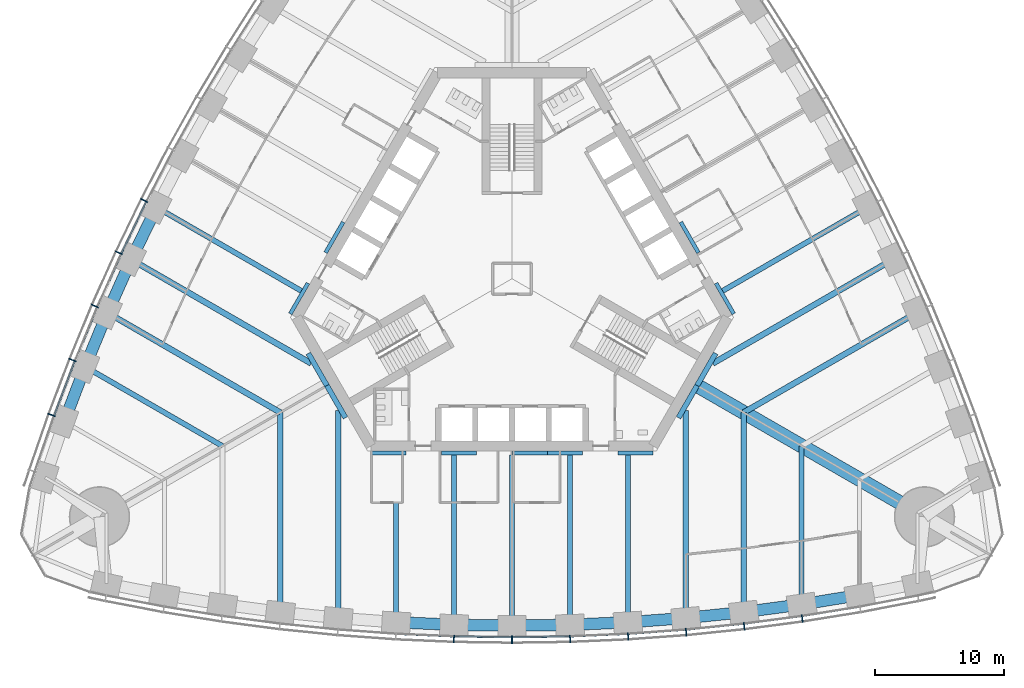
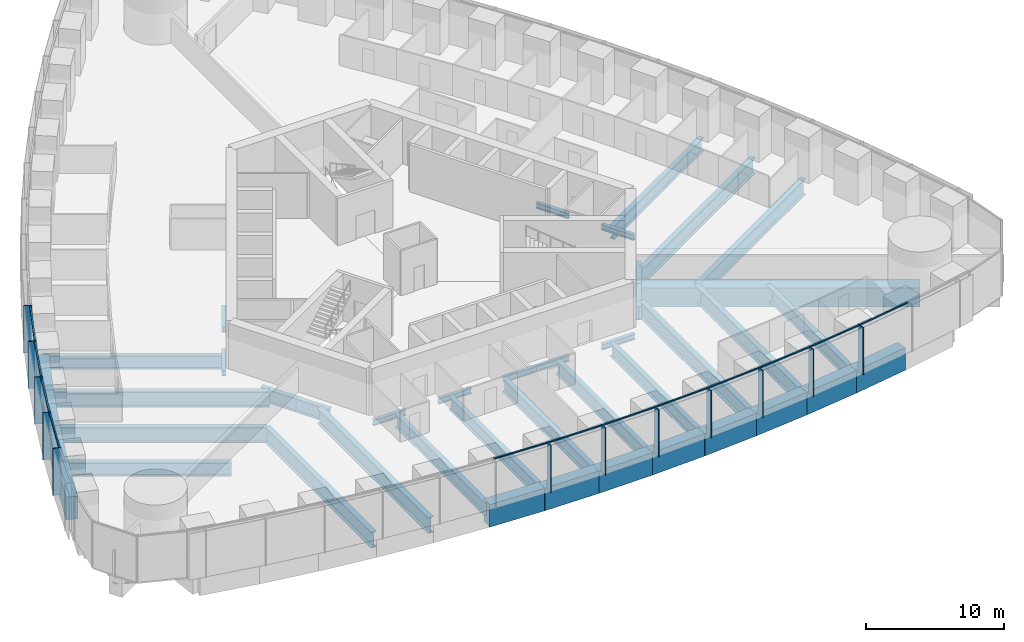
# One storey, part 3 of 19: 43 beams, 24 members, 2 elements without a shape of their own.
"""IFC4 building model written with IfcOpenShell, lengths in metres."""

from ifc_helpers import new_model, si_unit, direction, frame, origin, origin_2d, place, context, subcontext, project, spatial, rectangle, i_section, extrude, material, material_profile, profile_set, type_object, element, aggregate, save


model = new_model("IFC4")

# Units and contexts
model_context = context("Model", 3, precision=1e-05, world=origin(), true_north=direction((0.0, 1.0)))
body_context = subcontext(model_context, "Body", "Model", "MODEL_VIEW")
ifc_project = project(units=[si_unit("LENGTHUNIT", "METRE"), si_unit("AREAUNIT", "SQUARE_METRE"), si_unit("VOLUMEUNIT", "CUBIC_METRE"), si_unit("PLANEANGLEUNIT", "RADIAN"), si_unit("MASSUNIT", "GRAM", prefix="KILO")], contexts=[model_context])

# Site, building, storey
site_placement = place(None, origin())
site = spatial("IfcSite", under=ifc_project, at=site_placement, CompositionType="ELEMENT")
building_placement = place(site_placement, origin())
building = spatial("IfcBuilding", under=site, at=building_placement, Name="Trefoil Bronze Tower", CompositionType="ELEMENT")
storey_placement = place(building_placement, frame((0.0, 0.0, 79.5)))
storey = spatial("IfcBuildingStorey", under=building, at=storey_placement, Name="L18", CompositionType="ELEMENT", Elevation=79.5)

# Curtain wall, members
ifc_material_1 = material(Name="Tinted solar-control glass", Category="glass")
curtain_wall_type = type_object("IfcCurtainWallType", Name="Bronze office curtain wall", PredefinedType="USERDEFINED", material=ifc_material_1)
curtain_wall_1_placement = place(storey_placement, origin())
curtain_wall_1 = element("IfcCurtainWall", 1, at=curtain_wall_1_placement, inside=storey, type_object=curtain_wall_type, Name="CW-A L18 F1", ObjectType="CURTAIN WALL", PredefinedType="USERDEFINED")
ifc_material_2 = material(Name="Bronze-finish aluminium", Category="aluminium")
ifc_material_profile_1 = material_profile(ifc_material_2, rectangle(XDim=0.60009765625, YDim=0.080078125, at=origin_2d()), Name="CW-A mullion")
ifc_profile_set_1 = profile_set([ifc_material_profile_1], Name="Bronze-finish aluminium")
member_type_1 = type_object("IfcMemberType", Name="Bronze office curtain wall mullion", PredefinedType="MULLION", material=ifc_profile_set_1)
member_1_placement = place(storey_placement, frame((-4.5087890625, -27.9833984375, 0.0), z_axis=(0.0, 0.0, 1.0), x_axis=(0.029021671584, 0.999578782577, 0.0)))
member_1 = element("IfcMember", 2, at=member_1_placement, type_object=member_type_1, Name="CW-A L18 F1 mullion 8", PredefinedType="MULLION", context=body_context, shape_type="SweptSolid", body=[
    extrude(rectangle(XDim=0.60009765625, YDim=0.080078125, at=origin_2d()), origin(), (0.0, 0.0, 1.0), 4.179931640625),
])
member_2_placement = place(storey_placement, frame((0.0, -28.048828125, 0.0), z_axis=(0.0, 0.0, 1.0), x_axis=(0.0, 1.0, 0.0)))
member_2 = element("IfcMember", 3, at=member_2_placement, type_object=member_type_1, Name="CW-A L18 F1 mullion 9", PredefinedType="MULLION", context=body_context, shape_type="SweptSolid", body=[
    extrude(rectangle(XDim=0.60009765625, YDim=0.080078125, at=origin_2d()), origin(), (0.0, 0.0, 1.0), 4.179931640625),
])
member_3_placement = place(storey_placement, frame((4.5087890625, -27.9833984375, 0.0), z_axis=(0.0, 0.0, 1.0), x_axis=(-0.029021671584, 0.999578782577, 0.0)))
member_3 = element("IfcMember", 4, at=member_3_placement, type_object=member_type_1, Name="CW-A L18 F1 mullion 10", PredefinedType="MULLION", context=body_context, shape_type="SweptSolid", body=[
    extrude(rectangle(XDim=0.60009765625, YDim=0.080078125, at=origin_2d()), origin(), (0.0, 0.0, 1.0), 4.179931640625),
])
member_4_placement = place(storey_placement, frame((9.017333984375, -27.786865234375, 0.0), z_axis=(0.0, 0.0, 1.0), x_axis=(-0.058043374207, 0.998314062162, 0.0)))
member_4 = element("IfcMember", 5, at=member_4_placement, type_object=member_type_1, Name="CW-A L18 F1 mullion 11", PredefinedType="MULLION", context=body_context, shape_type="SweptSolid", body=[
    extrude(rectangle(XDim=0.60009765625, YDim=0.080078125, at=origin_2d()), origin(), (0.0, 0.0, 1.0), 4.179931640625),
])
member_5_placement = place(storey_placement, frame((13.526123046875, -27.458984375, 0.0), z_axis=(0.0, 0.0, 1.0), x_axis=(-0.087065139456, 0.996202620701, 0.0)))
member_5 = element("IfcMember", 6, at=member_5_placement, type_object=member_type_1, Name="CW-A L18 F1 mullion 12", PredefinedType="MULLION", context=body_context, shape_type="SweptSolid", body=[
    extrude(rectangle(XDim=0.60009765625, YDim=0.080078125, at=origin_2d()), origin(), (0.0, 0.0, 1.0), 4.179931640625),
])
member_6_placement = place(storey_placement, frame((18.034912109375, -26.99853515625, 0.0), z_axis=(0.0, 0.0, 1.0), x_axis=(-0.116086999973, 0.993239048989, 0.0)))
member_6 = element("IfcMember", 7, at=member_6_placement, type_object=member_type_1, Name="CW-A L18 F1 mullion 13", PredefinedType="MULLION", context=body_context, shape_type="SweptSolid", body=[
    extrude(rectangle(XDim=0.60009765625, YDim=0.080078125, at=origin_2d()), origin(), (0.0, 0.0, 1.0), 4.179931640625),
])
member_7_placement = place(storey_placement, frame((22.54345703125, -26.40478515625, 0.0), z_axis=(0.0, 0.0, 1.0), x_axis=(-0.145108990094, 0.989415676546, 0.0)))
member_7 = element("IfcMember", 8, at=member_7_placement, type_object=member_type_1, Name="CW-A L18 F1 mullion 14", PredefinedType="MULLION", context=body_context, shape_type="SweptSolid", body=[
    extrude(rectangle(XDim=0.60009765625, YDim=0.080078125, at=origin_2d()), origin(), (0.0, 0.0, 1.0), 4.179931640625),
])

curtain_wall_2_placement = place(storey_placement, origin())
curtain_wall_2 = element("IfcCurtainWall", 9, at=curtain_wall_2_placement, inside=storey, type_object=curtain_wall_type, Name="CW-A L18 F3", ObjectType="CURTAIN WALL", PredefinedType="USERDEFINED")
member_8_placement = place(storey_placement, frame((-28.57275390625, 6.084228515625, 0.0), z_axis=(0.0, 0.0, 1.0), x_axis=(0.893587025891, -0.448889994497, 0.0)))
member_8 = element("IfcMember", 10, at=member_8_placement, type_object=member_type_1, Name="CW-A L18 F3 mullion 11", PredefinedType="MULLION", context=body_context, shape_type="SweptSolid", body=[
    extrude(rectangle(XDim=0.60009765625, YDim=0.080078125, at=origin_2d()), origin(), (0.0, 0.0, 1.0), 4.179931640625),
])
member_9_placement = place(storey_placement, frame((-30.543212890625, 2.015380859375, 0.0), z_axis=(0.0, 0.0, 1.0), x_axis=(0.906269346572, -0.422700687798, 0.0)))
member_9 = element("IfcMember", 11, at=member_9_placement, type_object=member_type_1, Name="CW-A L18 F3 mullion 12", PredefinedType="MULLION", context=body_context, shape_type="SweptSolid", body=[
    extrude(rectangle(XDim=0.60009765625, YDim=0.080078125, at=origin_2d()), origin(), (0.0, 0.0, 1.0), 4.179931640625),
])
member_10_placement = place(storey_placement, frame((-32.39892578125, -2.119384765625, 0.0), z_axis=(0.0, 0.0, 1.0), x_axis=(0.918213748442, -0.396085233469, 0.0)))
member_10 = element("IfcMember", 12, at=member_10_placement, type_object=member_type_1, Name="CW-A L18 F3 mullion 13", PredefinedType="MULLION", context=body_context, shape_type="SweptSolid", body=[
    extrude(rectangle(XDim=0.60009765625, YDim=0.080078125, at=origin_2d()), origin(), (0.0, 0.0, 1.0), 4.179931640625),
])
member_11_placement = place(storey_placement, frame((-34.138916015625, -6.32080078125, 0.0), z_axis=(0.0, 0.0, 1.0), x_axis=(0.929413605838, -0.369039766534, 0.0)))
member_11 = element("IfcMember", 13, at=member_11_placement, type_object=member_type_1, Name="CW-A L18 F3 mullion 14", PredefinedType="MULLION", context=body_context, shape_type="SweptSolid", body=[
    extrude(rectangle(XDim=0.60009765625, YDim=0.080078125, at=origin_2d()), origin(), (0.0, 0.0, 1.0), 4.179931640625),
])
member_12_placement = place(storey_placement, frame((-35.761962890625, -10.590087890625, 0.0), z_axis=(0.0, 0.0, 1.0), x_axis=(0.939860248316, -0.341559238839, 0.0)))
member_12 = element("IfcMember", 14, at=member_12_placement, type_object=member_type_1, Name="CW-A L18 F3 mullion 15", PredefinedType="MULLION", context=body_context, shape_type="SweptSolid", body=[
    extrude(rectangle(XDim=0.60009765625, YDim=0.080078125, at=origin_2d()), origin(), (0.0, 0.0, 1.0), 4.179931640625),
])

# Member
ifc_material_3 = material(Name="Bronze-finish aluminium", Category="aluminium")
ifc_material_profile_2 = material_profile(ifc_material_3, rectangle(XDim=0.1201171875, YDim=0.10009765625, at=origin_2d()), Name="CW-A transom")
ifc_profile_set_2 = profile_set([ifc_material_profile_2], Name="Bronze-finish aluminium")
member_type_2 = type_object("IfcMemberType", Name="Bronze office curtain wall transom", PredefinedType="USERDEFINED", material=ifc_profile_set_2)
member_13_placement = place(storey_placement, frame((-8.96435546875, -27.589111328125, 4.1298828125), z_axis=(0.999054074786, -0.043485119914, 0.0), x_axis=(0.043485119914, 0.999054074786, 0.0)))
member_13 = element("IfcMember", 15, at=member_13_placement, type_object=member_type_2, Name="CW-A L18 F1 transom 7", ObjectType="TRANSOM", PredefinedType="USERDEFINED", context=body_context, shape_type="SweptSolid", body=[
    extrude(rectangle(XDim=0.1201171875, YDim=0.10009765625, at=origin_2d()), origin(), (0.0, 0.0, 1.0), 4.424072265625),
])

member_14_placement = place(storey_placement, frame((-4.46142578125, -27.783935546875, 4.1298828125), z_axis=(0.999894497273, -0.014525643658, 0.0), x_axis=(0.014525643658, 0.999894497273, 0.0)))
member_14 = element("IfcMember", 16, at=member_14_placement, type_object=member_type_2, Name="CW-A L18 F1 transom 8", ObjectType="TRANSOM", PredefinedType="USERDEFINED", context=body_context, shape_type="SweptSolid", body=[
    extrude(rectangle(XDim=0.1201171875, YDim=0.10009765625, at=origin_2d()), origin(), (0.0, 0.0, 1.0), 4.42041015625),
])

member_15_placement = place(storey_placement, frame((0.04150390625, -27.84814453125, 4.1298828125), z_axis=(0.999894497273, 0.014525643658, 0.0), x_axis=(-0.014525643658, 0.999894497273, 0.0)))
member_15 = element("IfcMember", 17, at=member_15_placement, type_object=member_type_2, Name="CW-A L18 F1 transom 9", ObjectType="TRANSOM", PredefinedType="USERDEFINED", context=body_context, shape_type="SweptSolid", body=[
    extrude(rectangle(XDim=0.1201171875, YDim=0.10009765625, at=origin_2d()), origin(), (0.0, 0.0, 1.0), 4.42041015625),
])

member_16_placement = place(storey_placement, frame((4.54443359375, -27.781494140625, 4.1298828125), z_axis=(0.999054074786, 0.043485119914, 0.0), x_axis=(-0.043485119914, 0.999054074786, 0.0)))
member_16 = element("IfcMember", 18, at=member_16_placement, type_object=member_type_2, Name="CW-A L18 F1 transom 10", ObjectType="TRANSOM", PredefinedType="USERDEFINED", context=body_context, shape_type="SweptSolid", body=[
    extrude(rectangle(XDim=0.1201171875, YDim=0.10009765625, at=origin_2d()), origin(), (0.0, 0.0, 1.0), 4.424072265625),
])

member_17_placement = place(storey_placement, frame((9.047119140625, -27.584228515625, 4.1298828125), z_axis=(0.997364729945, 0.07255064067, 0.0), x_axis=(-0.07255064067, 0.997364729945, 0.0)))
member_17 = element("IfcMember", 19, at=member_17_placement, type_object=member_type_2, Name="CW-A L18 F1 transom 11", ObjectType="TRANSOM", PredefinedType="USERDEFINED", context=body_context, shape_type="SweptSolid", body=[
    extrude(rectangle(XDim=0.1201171875, YDim=0.10009765625, at=origin_2d()), origin(), (0.0, 0.0, 1.0), 4.431884765625),
])

member_18_placement = place(storey_placement, frame((13.550048828125, -27.25537109375, 4.1298828125), z_axis=(0.994831650915, 0.101538102888, 0.0), x_axis=(-0.101538102888, 0.994831650915, 0.0)))
member_18 = element("IfcMember", 20, at=member_18_placement, type_object=member_type_2, Name="CW-A L18 F1 transom 12", ObjectType="TRANSOM", PredefinedType="USERDEFINED", context=body_context, shape_type="SweptSolid", body=[
    extrude(rectangle(XDim=0.1201171875, YDim=0.10009765625, at=origin_2d()), origin(), (0.0, 0.0, 1.0), 4.443359375),
])

member_19_placement = place(storey_placement, frame((18.052734375, -26.79443359375, 4.1298828125), z_axis=(0.991436581643, 0.13058906761, 0.0), x_axis=(-0.13058906761, 0.991436581643, 0.0)))
member_19 = element("IfcMember", 21, at=member_19_placement, type_object=member_type_2, Name="CW-A L18 F1 transom 13", ObjectType="TRANSOM", PredefinedType="USERDEFINED", context=body_context, shape_type="SweptSolid", body=[
    extrude(rectangle(XDim=0.1201171875, YDim=0.10009765625, at=origin_2d()), origin(), (0.0, 0.0, 1.0), 4.458740234375),
])

member_20_placement = place(storey_placement, frame((22.555419921875, -26.2001953125, 4.1298828125), z_axis=(0.987179401487, 0.159614627398, 0.0), x_axis=(-0.159614627398, 0.987179401487, 0.0)))
member_20 = element("IfcMember", 22, at=member_20_placement, type_object=member_type_2, Name="CW-A L18 F1 transom 14", ObjectType="TRANSOM", PredefinedType="USERDEFINED", context=body_context, shape_type="SweptSolid", body=[
    extrude(rectangle(XDim=0.1201171875, YDim=0.10009765625, at=origin_2d()), origin(), (0.0, 0.0, 1.0), 4.478515625),
])

aggregate(curtain_wall_1, [member_1, member_2, member_3, member_4, member_5, member_6, member_7, member_13, member_14, member_15, member_16, member_17, member_18, member_19, member_20])

member_21_placement = place(storey_placement, frame((-28.412109375, 5.95703125, 4.1298828125), z_axis=(-0.435851763293, -0.900018466719, 0.0), x_axis=(0.900018466719, -0.435851763293, 0.0)))
member_21 = element("IfcMember", 23, at=member_21_placement, type_object=member_type_2, Name="CW-A L18 F3 transom 11", ObjectType="TRANSOM", PredefinedType="USERDEFINED", context=body_context, shape_type="SweptSolid", body=[
    extrude(rectangle(XDim=0.1201171875, YDim=0.10009765625, at=origin_2d()), origin(), (0.0, 0.0, 1.0), 4.431884765625),
])

member_22_placement = place(storey_placement, frame((-30.37890625, 1.89306640625, 4.1298828125), z_axis=(-0.409459746452, -0.912328184392, 0.0), x_axis=(0.912328184392, -0.409459746452, 0.0)))
member_22 = element("IfcMember", 24, at=member_22_placement, type_object=member_type_2, Name="CW-A L18 F3 transom 12", ObjectType="TRANSOM", PredefinedType="USERDEFINED", context=body_context, shape_type="SweptSolid", body=[
    extrude(rectangle(XDim=0.1201171875, YDim=0.10009765625, at=origin_2d()), origin(), (0.0, 0.0, 1.0), 4.443359375),
])

member_23_placement = place(storey_placement, frame((-32.231201171875, -2.23681640625, 4.1298828125), z_axis=(-0.382616149417, -0.923907399151, 0.0), x_axis=(0.923907399151, -0.382616149417, 0.0)))
member_23 = element("IfcMember", 25, at=member_23_placement, type_object=member_type_2, Name="CW-A L18 F3 transom 13", ObjectType="TRANSOM", PredefinedType="USERDEFINED", context=body_context, shape_type="SweptSolid", body=[
    extrude(rectangle(XDim=0.1201171875, YDim=0.10009765625, at=origin_2d()), origin(), (0.0, 0.0, 1.0), 4.458984375),
])

member_24_placement = place(storey_placement, frame((-33.9677734375, -6.433349609375, 4.1298828125), z_axis=(-0.355367327392, -0.934726731522, 0.0), x_axis=(0.934726731522, -0.355367327392, 0.0)))
member_24 = element("IfcMember", 26, at=member_24_placement, type_object=member_type_2, Name="CW-A L18 F3 transom 14", ObjectType="TRANSOM", PredefinedType="USERDEFINED", context=body_context, shape_type="SweptSolid", body=[
    extrude(rectangle(XDim=0.1201171875, YDim=0.10009765625, at=origin_2d()), origin(), (0.0, 0.0, 1.0), 4.478515625),
])

aggregate(curtain_wall_2, [member_8, member_9, member_10, member_11, member_12, member_21, member_22, member_23, member_24])

# Beams
ifc_material_4 = material(Name="Steel C355", Category="steel")
ifc_material_profile_3 = material_profile(ifc_material_4, i_section(OverallWidth=0.300048828125, OverallDepth=0.5, WebThickness=0.014404296875, FlangeThickness=0.028076171875, FilletRadius=0.027099609375, at=origin_2d()), Name="HEB 500")
ifc_profile_set_3 = profile_set([ifc_material_profile_3], Name="Steel C355")
beam_type_1 = type_object("IfcBeamType", Name="Core seat beam HEB 500", PredefinedType="BEAM", material=ifc_profile_set_3)
for number, where, z_axis, x_axis, name in (
    (27, (-10.9697265625, -13.550048828125, -0.449951171875), (1.0, 0.0, 0.0), (0.0, 1.0, 0.0), "Core seat beam F1/-2 L18"),
    (28, (-5.48486328125, -13.550048828125, -0.449951171875), (1.0, 0.0, 0.0), (0.0, 1.0, 0.0), "Core seat beam F1/-1 L18"),
    (29, (0.0, -13.550048828125, -0.449951171875), (1.0, 0.0, 0.0), (0.0, 1.0, 0.0), "Core seat beam F1/+0 L18"),
    (30, (2.742431640625, -13.550048828125, -0.449951171875), (1.0, 0.0, 0.0), (0.0, 1.0, 0.0), "Core seat beam F1/+1 L18"),
    (31, (8.227294921875, -13.550048828125, -0.449951171875), (1.0, 0.0, 0.0), (0.0, 1.0, 0.0), "Core seat beam F1/+2 L18"),
    (32, (17.219482421875, -2.72509765625, -0.449951171875), (-0.500035825175, 0.866004719122, 0.0), (-0.866004719122, -0.500035825175, 0.0), "Core seat beam F2/-2 L18"),
    (33, (14.47705078125, 2.02490234375, -0.449951171875), (-0.499969057507, 0.866043267704, 0.0), (-0.866043267704, -0.499969057507, 0.0), "Core seat beam F2/-1 L18"),
    (34, (-13.10595703125, 4.39990234375, -0.449951171875), (-0.499969057507, -0.866043267704, 0.0), (0.866043267704, -0.499969057507, 0.0), "Core seat beam F3/+1 L18"),
    (35, (-15.84814453125, -0.35009765625, -0.449951171875), (-0.500035825175, -0.866004719122, 0.0), (0.866004719122, -0.500035825175, 0.0), "Core seat beam F3/+2 L18"),
):
    element("IfcBeam", number, at=place(storey_placement, frame(where, z_axis=z_axis, x_axis=x_axis)), inside=storey, type_object=beam_type_1, Name=name, PredefinedType="BEAM", context=body_context, shape_type="SweptSolid", body=[
        extrude(i_section(OverallWidth=0.300048828125, OverallDepth=0.5, WebThickness=0.014404296875, FlangeThickness=0.028076171875, FilletRadius=0.027099609375, at=origin_2d()), origin(), (0.0, 0.0, 1.0), 2.742431640625),
    ])
ifc_material_5 = material(Name="Steel C355", Category="steel")
ifc_material_profile_4 = material_profile(ifc_material_5, i_section(OverallWidth=0.39990234375, OverallDepth=1.199951171875, WebThickness=0.02001953125, FlangeThickness=0.0400390625, FilletRadius=0.010009765625, at=origin_2d()), Name="WPG 1200")
ifc_profile_set_4 = profile_set([ifc_material_profile_4], Name="Steel C355")
beam_type_2 = type_object("IfcBeamType", Name="Core seat beam WPG 1200", PredefinedType="BEAM", material=ifc_profile_set_4)
for number, where, z_axis, x_axis, name in (
    (36, (-14.3759765625, -8.300048828125, -0.800048828125), (0.499995765644, -0.866027848477, 0.0), (0.866027848477, 0.499995765644, 0.0), "Core seat beam F1/-3 L18"),
    (37, (12.9326171875, -10.800048828125, -0.800048828125), (0.499995765644, 0.866027848477, 0.0), (-0.866027848477, 0.499995765644, 0.0), "Core seat beam F1/+3 L18"),
    (38, (14.3759765625, -8.300048828125, -0.800048828125), (0.499995765644, 0.866027848477, 0.0), (-0.866027848477, 0.499995765644, 0.0), "Core seat beam F2/-3 L18"),
    (39, (-15.8193359375, -5.800048828125, -0.800048828125), (0.499995765644, -0.866027848477, 0.0), (0.866027848477, 0.499995765644, 0.0), "Core seat beam F3/+3 L18"),
):
    element("IfcBeam", number, at=place(storey_placement, frame(where, z_axis=z_axis, x_axis=x_axis)), inside=storey, type_object=beam_type_2, Name=name, PredefinedType="BEAM", context=body_context, shape_type="SweptSolid", body=[
        extrude(i_section(OverallWidth=0.39990234375, OverallDepth=1.199951171875, WebThickness=0.02001953125, FlangeThickness=0.0400390625, FilletRadius=0.010009765625, at=origin_2d()), origin(), (0.0, 0.0, 1.0), 2.88671875),
    ])
ifc_material_6 = material(Name="Concrete B80", Category="concrete")
ifc_material_profile_5 = material_profile(ifc_material_6, rectangle(XDim=1.10009765625, YDim=1.699951171875, at=origin_2d()), Name="RC 1100x1700")
ifc_profile_set_5 = profile_set([ifc_material_profile_5], Name="Concrete B80")
beam_type_3 = type_object("IfcBeamType", Name="Corner girder RC 1100x1700", PredefinedType="BEAM", material=ifc_profile_set_5)
beam_1_placement = place(storey_placement, frame((14.202880859375, -8.199951171875, -1.050048828125), z_axis=(0.866023947468, -0.500002522405, 0.0), x_axis=(0.500002522405, 0.866023947468, 0.0)))
element("IfcBeam", 40, at=beam_1_placement, inside=storey, type_object=beam_type_3, Name="Corner girder K1 L18", PredefinedType="BEAM", context=body_context, shape_type="SweptSolid", body=[
    extrude(rectangle(XDim=1.10009765625, YDim=1.699951171875, at=origin_2d()), origin(), (0.0, 0.0, 1.0), 20.60009765625),
])
ifc_material_7 = material(Name="Steel C355", Category="steel")
ifc_material_profile_6 = material_profile(ifc_material_7, i_section(OverallWidth=0.39990234375, OverallDepth=1.199951171875, WebThickness=0.02001953125, FlangeThickness=0.0400390625, FilletRadius=0.010009765625, at=origin_2d()), Name="WPG 1200")
ifc_profile_set_6 = profile_set([ifc_material_profile_6], Name="Steel C355")
beam_type_4 = type_object("IfcBeamType", Name="Floor beam WPG 1200", PredefinedType="BEAM", material=ifc_profile_set_6)
beam_2_placement = place(storey_placement, frame((-9.0, -26.68603515625, -0.800048828125), z_axis=(0.0, 1.0, 0.0), x_axis=(-1.0, 0.0, 0.0)))
element("IfcBeam", 41, at=beam_2_placement, inside=storey, type_object=beam_type_4, Name="Floor beam F1/-2 L18", PredefinedType="BEAM", context=body_context, shape_type="SweptSolid", body=[
    extrude(i_section(OverallWidth=0.39990234375, OverallDepth=1.199951171875, WebThickness=0.02001953125, FlangeThickness=0.0400390625, FilletRadius=0.010009765625, at=origin_2d()), origin(), (0.0, 0.0, 1.0), 12.986083984375),
])
beam_3_placement = place(storey_placement, frame((-4.5, -26.883056640625, -0.800048828125), z_axis=(0.0, 1.0, 0.0), x_axis=(-1.0, 0.0, 0.0)))
element("IfcBeam", 42, at=beam_3_placement, inside=storey, type_object=beam_type_4, Name="Floor beam F1/-1 L18", PredefinedType="BEAM", context=body_context, shape_type="SweptSolid", body=[
    extrude(i_section(OverallWidth=0.39990234375, OverallDepth=1.199951171875, WebThickness=0.02001953125, FlangeThickness=0.0400390625, FilletRadius=0.010009765625, at=origin_2d()), origin(), (0.0, 0.0, 1.0), 13.18310546875),
])
beam_4_placement = place(storey_placement, frame((0.0, -26.94873046875, -0.800048828125), z_axis=(0.0, 1.0, 0.0), x_axis=(-1.0, 0.0, 0.0)))
element("IfcBeam", 43, at=beam_4_placement, inside=storey, type_object=beam_type_4, Name="Floor beam F1/+0 L18", PredefinedType="BEAM", context=body_context, shape_type="SweptSolid", body=[
    extrude(i_section(OverallWidth=0.39990234375, OverallDepth=1.199951171875, WebThickness=0.02001953125, FlangeThickness=0.0400390625, FilletRadius=0.010009765625, at=origin_2d()), origin(), (0.0, 0.0, 1.0), 13.248779296875),
])
beam_5_placement = place(storey_placement, frame((4.5, -26.883056640625, -0.800048828125), z_axis=(0.0, 1.0, 0.0), x_axis=(-1.0, 0.0, 0.0)))
element("IfcBeam", 44, at=beam_5_placement, inside=storey, type_object=beam_type_4, Name="Floor beam F1/+1 L18", PredefinedType="BEAM", context=body_context, shape_type="SweptSolid", body=[
    extrude(i_section(OverallWidth=0.39990234375, OverallDepth=1.199951171875, WebThickness=0.02001953125, FlangeThickness=0.0400390625, FilletRadius=0.010009765625, at=origin_2d()), origin(), (0.0, 0.0, 1.0), 13.18310546875),
])
beam_6_placement = place(storey_placement, frame((9.0, -26.68603515625, -0.800048828125), z_axis=(0.0, 1.0, 0.0), x_axis=(-1.0, 0.0, 0.0)))
element("IfcBeam", 45, at=beam_6_placement, inside=storey, type_object=beam_type_4, Name="Floor beam F1/+2 L18", PredefinedType="BEAM", context=body_context, shape_type="SweptSolid", body=[
    extrude(i_section(OverallWidth=0.39990234375, OverallDepth=1.199951171875, WebThickness=0.02001953125, FlangeThickness=0.0400390625, FilletRadius=0.010009765625, at=origin_2d()), origin(), (0.0, 0.0, 1.0), 12.986083984375),
])
beam_7_placement = place(storey_placement, frame((22.5, -25.29931640625, -0.800048828125), z_axis=(0.0, 1.0, 0.0), x_axis=(-1.0, 0.0, 0.0)))
element("IfcBeam", 46, at=beam_7_placement, inside=storey, type_object=beam_type_4, Name="Floor beam F1/+5 L18", PredefinedType="BEAM", context=body_context, shape_type="SweptSolid", body=[
    extrude(i_section(OverallWidth=0.39990234375, OverallDepth=1.199951171875, WebThickness=0.02001953125, FlangeThickness=0.0400390625, FilletRadius=0.010009765625, at=origin_2d()), origin(), (0.0, 0.0, 1.0), 12.308837890625),
])
for number, where, z_axis, x_axis, name in (
    (47, (27.61083984375, 5.548828125, -0.800048828125), (-0.866022474361, -0.500005073876, 0.0), (0.500005073876, -0.866022474361, 0.0), "Floor beam F2/-2 L18"),
    (48, (-27.61083984375, 5.548828125, -0.800048828125), (0.866022474361, -0.500005073876, 0.0), (0.500005073876, 0.866022474361, 0.0), "Floor beam F3/+2 L18"),
):
    element("IfcBeam", number, at=place(storey_placement, frame(where, z_axis=z_axis, x_axis=x_axis)), inside=storey, type_object=beam_type_4, Name=name, PredefinedType="BEAM", context=body_context, shape_type="SweptSolid", body=[
        extrude(i_section(OverallWidth=0.39990234375, OverallDepth=1.199951171875, WebThickness=0.02001953125, FlangeThickness=0.0400390625, FilletRadius=0.010009765625, at=origin_2d()), origin(), (0.0, 0.0, 1.0), 12.986083984375),
    ])
beam_8_placement = place(storey_placement, frame((-33.159912109375, -6.8359375, -0.800048828125), z_axis=(0.866024070878, -0.500002308654, 0.0), x_axis=(0.500002308654, 0.866024070878, 0.0)))
element("IfcBeam", 49, at=beam_8_placement, inside=storey, type_object=beam_type_4, Name="Floor beam F3/+5 L18", PredefinedType="BEAM", context=body_context, shape_type="SweptSolid", body=[
    extrude(i_section(OverallWidth=0.39990234375, OverallDepth=1.199951171875, WebThickness=0.02001953125, FlangeThickness=0.0400390625, FilletRadius=0.010009765625, at=origin_2d()), origin(), (0.0, 0.0, 1.0), 12.30908203125),
])
ifc_material_8 = material(Name="Steel C355", Category="steel")
ifc_material_profile_7 = material_profile(ifc_material_8, i_section(OverallWidth=0.449951171875, OverallDepth=1.39990234375, WebThickness=0.02294921875, FlangeThickness=0.044921875, FilletRadius=0.011962890625, at=origin_2d()), Name="WPG 1400")
ifc_profile_set_7 = profile_set([ifc_material_profile_7], Name="Steel C355")
beam_type_5 = type_object("IfcBeamType", Name="Floor beam WPG 1400", PredefinedType="BEAM", material=ifc_profile_set_7)
beam_9_placement = place(storey_placement, frame((-18.0, -25.895263671875, -0.89990234375), z_axis=(0.0, 1.0, 0.0), x_axis=(-1.0, 0.0, 0.0)))
element("IfcBeam", 50, at=beam_9_placement, inside=storey, type_object=beam_type_5, Name="Floor beam F1/-4 L18", PredefinedType="BEAM", context=body_context, shape_type="SweptSolid", body=[
    extrude(i_section(OverallWidth=0.449951171875, OverallDepth=1.39990234375, WebThickness=0.02294921875, FlangeThickness=0.044921875, FilletRadius=0.011962890625, at=origin_2d()), origin(), (0.0, 0.0, 1.0), 15.5029296875),
])
for number, where, z_axis, x_axis, name in (
    (51, (-13.5, -26.35693359375, -0.89990234375), (0.0, 1.0, 0.0), (-1.0, 0.0, 0.0), "Floor beam F1/-3 L18"),
    (52, (13.5, -26.35693359375, -0.89990234375), (0.0, 1.0, 0.0), (-1.0, 0.0, 0.0), "Floor beam F1/+3 L18"),
):
    element("IfcBeam", number, at=place(storey_placement, frame(where, z_axis=z_axis, x_axis=x_axis)), inside=storey, type_object=beam_type_5, Name=name, PredefinedType="BEAM", context=body_context, shape_type="SweptSolid", body=[
        extrude(i_section(OverallWidth=0.449951171875, OverallDepth=1.39990234375, WebThickness=0.02294921875, FlangeThickness=0.044921875, FilletRadius=0.011962890625, at=origin_2d()), origin(), (0.0, 0.0, 1.0), 16.1396484375),
    ])
beam_10_placement = place(storey_placement, frame((18.0, -25.895263671875, -0.89990234375), z_axis=(0.0, 1.0, 0.0), x_axis=(-1.0, 0.0, 0.0)))
element("IfcBeam", 53, at=beam_10_placement, inside=storey, type_object=beam_type_5, Name="Floor beam F1/+4 L18", PredefinedType="BEAM", context=body_context, shape_type="SweptSolid", body=[
    extrude(i_section(OverallWidth=0.449951171875, OverallDepth=1.39990234375, WebThickness=0.02294921875, FlangeThickness=0.044921875, FilletRadius=0.011962890625, at=origin_2d()), origin(), (0.0, 0.0, 1.0), 15.5029296875),
])
beam_11_placement = place(storey_placement, frame((31.42578125, -2.640869140625, -0.89990234375), z_axis=(-0.866022989816, -0.500004181093, 0.0), x_axis=(0.500004181093, -0.866022989816, 0.0)))
element("IfcBeam", 54, at=beam_11_placement, inside=storey, type_object=beam_type_5, Name="Floor beam F2/-4 L18", PredefinedType="BEAM", context=body_context, shape_type="SweptSolid", body=[
    extrude(i_section(OverallWidth=0.449951171875, OverallDepth=1.39990234375, WebThickness=0.02294921875, FlangeThickness=0.044921875, FilletRadius=0.011962890625, at=origin_2d()), origin(), (0.0, 0.0, 1.0), 15.502685546875),
])
for number, where, z_axis, x_axis, name in (
    (55, (29.575927734375, 1.487060546875, -0.89990234375), (-0.866028401131, -0.499994808408, 0.0), (0.499994808408, -0.866028401131, 0.0), "Floor beam F2/-3 L18"),
    (56, (-29.575927734375, 1.487060546875, -0.89990234375), (0.866028401131, -0.499994808408, 0.0), (0.499994808408, 0.866028401131, 0.0), "Floor beam F3/+3 L18"),
):
    element("IfcBeam", number, at=place(storey_placement, frame(where, z_axis=z_axis, x_axis=x_axis)), inside=storey, type_object=beam_type_5, Name=name, PredefinedType="BEAM", context=body_context, shape_type="SweptSolid", body=[
        extrude(i_section(OverallWidth=0.449951171875, OverallDepth=1.39990234375, WebThickness=0.02294921875, FlangeThickness=0.044921875, FilletRadius=0.011962890625, at=origin_2d()), origin(), (0.0, 0.0, 1.0), 16.139892578125),
    ])
beam_12_placement = place(storey_placement, frame((-31.42578125, -2.640869140625, -0.89990234375), z_axis=(0.866022989816, -0.500004181093, 0.0), x_axis=(0.500004181093, 0.866022989816, 0.0)))
element("IfcBeam", 57, at=beam_12_placement, inside=storey, type_object=beam_type_5, Name="Floor beam F3/+4 L18", PredefinedType="BEAM", context=body_context, shape_type="SweptSolid", body=[
    extrude(i_section(OverallWidth=0.449951171875, OverallDepth=1.39990234375, WebThickness=0.02294921875, FlangeThickness=0.044921875, FilletRadius=0.011962890625, at=origin_2d()), origin(), (0.0, 0.0, 1.0), 15.502685546875),
])
ifc_material_9 = material(Name="Concrete B80", Category="concrete")
ifc_material_profile_8 = material_profile(ifc_material_9, rectangle(XDim=0.89990234375, YDim=2.0, at=origin_2d()), Name="RC 900x2000")
ifc_profile_set_8 = profile_set([ifc_material_profile_8], Name="Concrete B80")
beam_type_6 = type_object("IfcBeamType", Name="Spandrel beam RC 900x2000", PredefinedType="SPANDREL", material=ifc_profile_set_8)
beam_13_placement = place(storey_placement, frame((-9.0, -26.68603515625, -1.199951171875), z_axis=(0.999042919826, -0.043740648671, 0.0), x_axis=(0.043740648671, 0.999042919826, 0.0)))
element("IfcBeam", 58, at=beam_13_placement, inside=storey, type_object=beam_type_6, Name="Spandrel F1.7 L18", PredefinedType="SPANDREL", context=body_context, shape_type="SweptSolid", body=[
    extrude(rectangle(XDim=0.89990234375, YDim=2.0, at=origin_2d()), origin(), (0.0, 0.0, 1.0), 4.50439453125),
])
for number, where, z_axis, x_axis, name in (
    (59, (-4.5, -26.883056640625, -1.199951171875), (0.999893521905, -0.014592630067, 0.0), (0.014592630067, 0.999893521905, 0.0), "Spandrel F1.8 L18"),
    (60, (0.0, -26.94873046875, -1.199951171875), (0.999893521905, 0.014592630067, 0.0), (-0.014592630067, 0.999893521905, 0.0), "Spandrel F1.9 L18"),
):
    element("IfcBeam", number, at=place(storey_placement, frame(where, z_axis=z_axis, x_axis=x_axis)), inside=storey, type_object=beam_type_6, Name=name, PredefinedType="SPANDREL", context=body_context, shape_type="SweptSolid", body=[
        extrude(rectangle(XDim=0.89990234375, YDim=2.0, at=origin_2d()), origin(), (0.0, 0.0, 1.0), 4.50048828125),
    ])
beam_14_placement = place(storey_placement, frame((4.5, -26.883056640625, -1.199951171875), z_axis=(0.999042919826, 0.043740648671, 0.0), x_axis=(-0.043740648671, 0.999042919826, 0.0)))
element("IfcBeam", 61, at=beam_14_placement, inside=storey, type_object=beam_type_6, Name="Spandrel F1.10 L18", PredefinedType="SPANDREL", context=body_context, shape_type="SweptSolid", body=[
    extrude(rectangle(XDim=0.89990234375, YDim=2.0, at=origin_2d()), origin(), (0.0, 0.0, 1.0), 4.50439453125),
])
beam_15_placement = place(storey_placement, frame((9.0, -26.68603515625, -1.199951171875), z_axis=(0.997336412354, 0.072938882588, 0.0), x_axis=(-0.072938882588, 0.997336412354, 0.0)))
element("IfcBeam", 62, at=beam_15_placement, inside=storey, type_object=beam_type_6, Name="Spandrel F1.11 L18", PredefinedType="SPANDREL", context=body_context, shape_type="SweptSolid", body=[
    extrude(rectangle(XDim=0.89990234375, YDim=2.0, at=origin_2d()), origin(), (0.0, 0.0, 1.0), 4.511962890625),
])
beam_16_placement = place(storey_placement, frame((13.5, -26.35693359375, -1.199951171875), z_axis=(0.994778488621, 0.102057623805, 0.0), x_axis=(-0.102057623805, 0.994778488621, 0.0)))
element("IfcBeam", 63, at=beam_16_placement, inside=storey, type_object=beam_type_6, Name="Spandrel F1.12 L18", PredefinedType="SPANDREL", context=body_context, shape_type="SweptSolid", body=[
    extrude(rectangle(XDim=0.89990234375, YDim=2.0, at=origin_2d()), origin(), (0.0, 0.0, 1.0), 4.523681640625),
])
beam_17_placement = place(storey_placement, frame((18.0, -25.895263671875, -1.199951171875), z_axis=(0.991344474846, 0.131286450906, 0.0), x_axis=(-0.131286450906, 0.991344474846, 0.0)))
element("IfcBeam", 64, at=beam_17_placement, inside=storey, type_object=beam_type_6, Name="Spandrel F1.13 L18", PredefinedType="SPANDREL", context=body_context, shape_type="SweptSolid", body=[
    extrude(rectangle(XDim=0.89990234375, YDim=2.0, at=origin_2d()), origin(), (0.0, 0.0, 1.0), 4.539306640625),
])
beam_18_placement = place(storey_placement, frame((22.5, -25.29931640625, -1.199951171875), z_axis=(0.987045951254, 0.160437807615, 0.0), x_axis=(-0.160437807615, 0.987045951254, 0.0)))
element("IfcBeam", 65, at=beam_18_placement, inside=storey, type_object=beam_type_6, Name="Spandrel F1.14 L18", PredefinedType="SPANDREL", context=body_context, shape_type="SweptSolid", body=[
    extrude(rectangle(XDim=0.89990234375, YDim=2.0, at=origin_2d()), origin(), (0.0, 0.0, 1.0), 4.55908203125),
])
beam_19_placement = place(storey_placement, frame((-27.61083984375, 5.548828125, -1.199951171875), z_axis=(-0.435510013583, -0.900183885697, 0.0), x_axis=(0.900183885697, -0.435510013583, 0.0)))
element("IfcBeam", 66, at=beam_19_placement, inside=storey, type_object=beam_type_6, Name="Spandrel F3.11 L18", PredefinedType="SPANDREL", context=body_context, shape_type="SweptSolid", body=[
    extrude(rectangle(XDim=0.89990234375, YDim=2.0, at=origin_2d()), origin(), (0.0, 0.0, 1.0), 4.51220703125),
])
beam_20_placement = place(storey_placement, frame((-29.575927734375, 1.487060546875, -1.199951171875), z_axis=(-0.408945873044, -0.912558640812, 0.0), x_axis=(0.912558640812, -0.408945873044, 0.0)))
element("IfcBeam", 67, at=beam_20_placement, inside=storey, type_object=beam_type_6, Name="Spandrel F3.12 L18", PredefinedType="SPANDREL", context=body_context, shape_type="SweptSolid", body=[
    extrude(rectangle(XDim=0.89990234375, YDim=2.0, at=origin_2d()), origin(), (0.0, 0.0, 1.0), 4.5234375),
])
beam_21_placement = place(storey_placement, frame((-31.42578125, -2.640869140625, -1.199951171875), z_axis=(-0.382020825144, -0.924153715113, 0.0), x_axis=(0.924153715113, -0.382020825144, 0.0)))
element("IfcBeam", 68, at=beam_21_placement, inside=storey, type_object=beam_type_6, Name="Spandrel F3.13 L18", PredefinedType="SPANDREL", context=body_context, shape_type="SweptSolid", body=[
    extrude(rectangle(XDim=0.89990234375, YDim=2.0, at=origin_2d()), origin(), (0.0, 0.0, 1.0), 4.539306640625),
])
beam_22_placement = place(storey_placement, frame((-33.159912109375, -6.8359375, -1.199951171875), z_axis=(-0.354571899767, -0.935028752443, 0.0), x_axis=(0.935028752443, -0.354571899767, 0.0)))
element("IfcBeam", 69, at=beam_22_placement, inside=storey, type_object=beam_type_6, Name="Spandrel F3.14 L18", PredefinedType="SPANDREL", context=body_context, shape_type="SweptSolid", body=[
    extrude(rectangle(XDim=0.89990234375, YDim=2.0, at=origin_2d()), origin(), (0.0, 0.0, 1.0), 4.558837890625),
])

save(model, "model.ifc")
